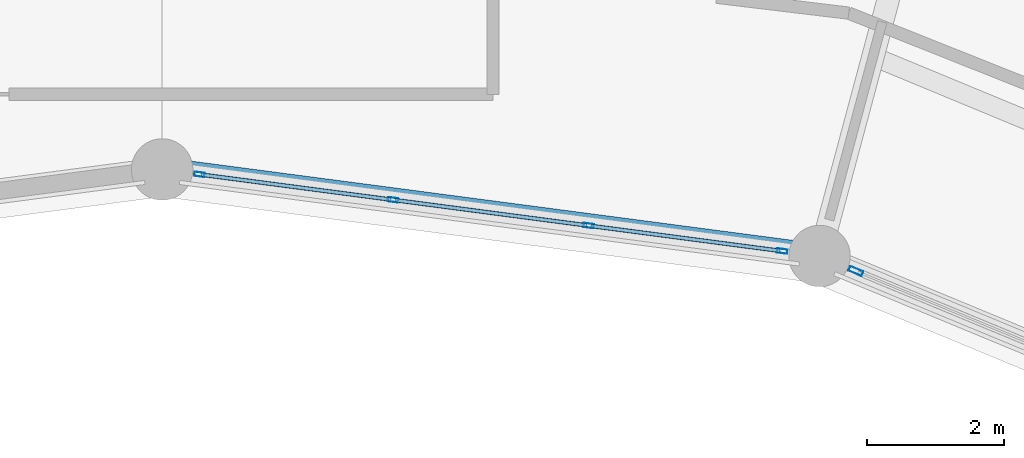
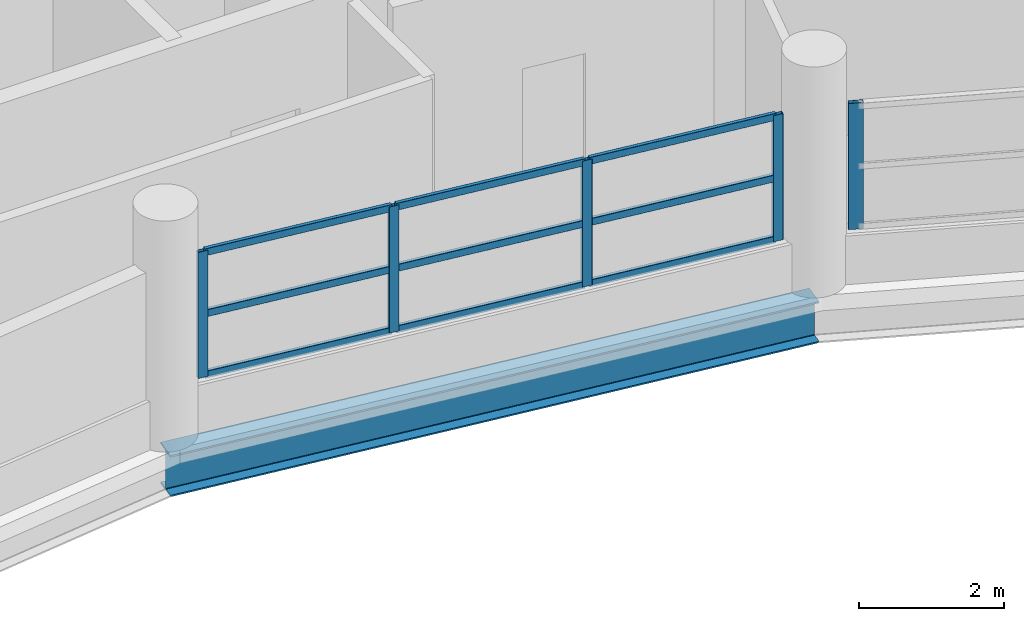
# One storey, part 31 of 53: 14 members, 1 beam, 2 elements without a shape of their own.
"""IFC4 building model written with IfcOpenShell, lengths in metres."""

from ifc_helpers import new_model, si_unit, direction, frame, origin, origin_2d, place, context, subcontext, project, spatial, hollow_rectangle, i_section, extrude, material, layer, layer_set, material_profile, profile_set, type_object, element, aggregate, save


model = new_model("IFC4")

# Units and contexts
model_context = context("Model", 3, precision=1e-05, world=origin(), true_north=direction((0.0, 1.0)))
body_context = subcontext(model_context, "Body", "Model", "MODEL_VIEW")
ifc_project = project(units=[si_unit("LENGTHUNIT", "METRE"), si_unit("AREAUNIT", "SQUARE_METRE"), si_unit("VOLUMEUNIT", "CUBIC_METRE"), si_unit("PLANEANGLEUNIT", "RADIAN"), si_unit("MASSUNIT", "GRAM", prefix="KILO")], contexts=[model_context])

# Site, building, storey
site_placement = place(None, origin())
site = spatial("IfcSite", under=ifc_project, at=site_placement, CompositionType="ELEMENT")
building_placement = place(site_placement, origin())
building = spatial("IfcBuilding", under=site, at=building_placement, Name="Vespera Passage Community Centre", CompositionType="ELEMENT")
storey_placement = place(building_placement, frame((0.0, 0.0, 20.39990234375)))
storey = spatial("IfcBuildingStorey", under=building, at=storey_placement, Name="L05", CompositionType="ELEMENT", Elevation=20.39990234375)

# Beam
ifc_material_1 = material(Name="Steel ASTM A992 Grade 50", Category="steel")
ifc_material_profile_1 = material_profile(ifc_material_1, i_section(OverallWidth=0.3544921875, OverallDepth=0.695556640625, WebThickness=0.015380859375, FlangeThickness=0.024658203125, FilletRadius=0.01513671875, at=origin_2d()), Name="W27X146")
ifc_profile_set_1 = profile_set([ifc_material_profile_1], Name="Steel ASTM A992 Grade 50")
beam_type = type_object("IfcBeamType", Name="BM-SP-W27X146E", PredefinedType="SPANDREL", material=ifc_profile_set_1)
beam_placement = place(storey_placement, frame((87.628173828125, 101.432373046875, -0.607666015625), z_axis=(-0.991444794834, 0.130526697639, 0.0), x_axis=(-0.130526697639, -0.991444794834, 0.0)))
element("IfcBeam", 1, at=beam_placement, inside=storey, type_object=beam_type, Name="V4 L05 Inner Spandrel 5", PredefinedType="SPANDREL", context=body_context, shape_type="SweptSolid", body=[
    extrude(i_section(OverallWidth=0.3544921875, OverallDepth=0.695556640625, WebThickness=0.015380859375, FlangeThickness=0.024658203125, FilletRadius=0.01513671875, at=origin_2d()), origin(), (0.0, 0.0, 1.0), 9.711181640625),
])

# Curtain wall, members
ifc_material_2 = material(Name="Anodized aluminium 6063-T6", Category="aluminium")
ifc_layer_1 = layer(ifc_material_2, 0.159912109375)
ifc_layer_set_1 = layer_set([ifc_layer_1], Name="Anodized aluminium 6063-T6")
curtain_wall_type_1 = type_object("IfcCurtainWallType", Name="CW-74E", PredefinedType="NOTDEFINED", material=ifc_layer_set_1)
curtain_wall_1_placement = place(storey_placement, origin())
curtain_wall_1 = element("IfcCurtainWall", 2, at=curtain_wall_1_placement, inside=storey, type_object=curtain_wall_type_1, Name="V4 L05 Inner Court Curtain Wall 5", PredefinedType="NOTDEFINED")
ifc_material_3 = material(Name="Anodized aluminium 6063-T6", Category="aluminium")
ifc_material_profile_2 = material_profile(ifc_material_3, hollow_rectangle(XDim=0.06494140625, YDim=0.14990234375, WallThickness=0.00390625, InnerFilletRadius=0.001953125, OuterFilletRadius=0.00390625, at=origin_2d()), Name="ALU150X65X4")
ifc_profile_set_2 = profile_set([ifc_material_profile_2], Name="Anodized aluminium 6063-T6")
member_type_1 = type_object("IfcMemberType", Name="MB-CWM-150E", PredefinedType="MULLION", material=ifc_profile_set_2)
member_1_placement = place(storey_placement, frame((87.082763671875, 101.504150390625, 0.820068359375), z_axis=(0.0, 0.0, 1.0), x_axis=(-0.1305221941, -0.991445387728, 0.0)))
member_1 = element("IfcMember", 3, at=member_1_placement, type_object=member_type_1, Name="CW-74E mullion 1", PredefinedType="MULLION", context=body_context, shape_type="SweptSolid", body=[
    extrude(hollow_rectangle(XDim=0.06494140625, YDim=0.14990234375, WallThickness=0.00390625, InnerFilletRadius=0.001953125, OuterFilletRadius=0.00390625, at=origin_2d()), origin(), (0.0, 0.0, 1.0), 2.129638671875),
])
member_2_placement = place(storey_placement, frame((84.24755859375, 101.87744140625, 0.820068359375), z_axis=(0.0, 0.0, 1.0), x_axis=(-0.1305221941, -0.991445387728, 0.0)))
member_2 = element("IfcMember", 4, at=member_2_placement, type_object=member_type_1, Name="CW-74E mullion 2", PredefinedType="MULLION", context=body_context, shape_type="SweptSolid", body=[
    extrude(hollow_rectangle(XDim=0.06494140625, YDim=0.14990234375, WallThickness=0.00390625, InnerFilletRadius=0.001953125, OuterFilletRadius=0.00390625, at=origin_2d()), origin(), (0.0, 0.0, 1.0), 2.129638671875),
])
member_3_placement = place(storey_placement, frame((81.38037109375, 102.2548828125, 0.820068359375), z_axis=(0.0, 0.0, 1.0), x_axis=(-0.1305221941, -0.991445387728, 0.0)))
member_3 = element("IfcMember", 5, at=member_3_placement, type_object=member_type_1, Name="CW-74E mullion 3", PredefinedType="MULLION", context=body_context, shape_type="SweptSolid", body=[
    extrude(hollow_rectangle(XDim=0.06494140625, YDim=0.14990234375, WallThickness=0.00390625, InnerFilletRadius=0.001953125, OuterFilletRadius=0.00390625, at=origin_2d()), origin(), (0.0, 0.0, 1.0), 2.129638671875),
])
member_4_placement = place(storey_placement, frame((78.54541015625, 102.628173828125, 0.820068359375), z_axis=(0.0, 0.0, 1.0), x_axis=(-0.1305221941, -0.991445387728, 0.0)))
member_4 = element("IfcMember", 6, at=member_4_placement, type_object=member_type_1, Name="CW-74E mullion 4", PredefinedType="MULLION", context=body_context, shape_type="SweptSolid", body=[
    extrude(hollow_rectangle(XDim=0.06494140625, YDim=0.14990234375, WallThickness=0.00390625, InnerFilletRadius=0.001953125, OuterFilletRadius=0.00390625, at=origin_2d()), origin(), (0.0, 0.0, 1.0), 2.129638671875),
])

# Curtain wall, member
ifc_material_4 = material(Name="Anodized aluminium 6063-T6", Category="aluminium")
ifc_layer_2 = layer(ifc_material_4, 0.159912109375)
ifc_layer_set_2 = layer_set([ifc_layer_2], Name="Anodized aluminium 6063-T6")
curtain_wall_type_2 = type_object("IfcCurtainWallType", Name="CW-72E", PredefinedType="NOTDEFINED", material=ifc_layer_set_2)
curtain_wall_2_placement = place(storey_placement, origin())
curtain_wall_2 = element("IfcCurtainWall", 7, at=curtain_wall_2_placement, inside=storey, type_object=curtain_wall_type_2, Name="V4 L05 Inner Court Curtain Wall 4", PredefinedType="NOTDEFINED")
ifc_material_5 = material(Name="Anodized aluminium 6063-T6", Category="aluminium")
ifc_material_profile_3 = material_profile(ifc_material_5, hollow_rectangle(XDim=0.074951171875, YDim=0.2099609375, WallThickness=0.0048828125, InnerFilletRadius=0.00244140625, OuterFilletRadius=0.0048828125, at=origin_2d()), Name="ALU210X75X5")
ifc_profile_set_3 = profile_set([ifc_material_profile_3], Name="Anodized aluminium 6063-T6")
member_type_2 = type_object("IfcMemberType", Name="MB-CWM-210E", PredefinedType="MULLION", material=ifc_profile_set_3)
member_5_placement = place(storey_placement, frame((88.161376953125, 101.211669921875, 0.820068359375), z_axis=(0.0, 0.0, 1.0), x_axis=(-0.382690463482, -0.923876620096, 0.0)))
member_5 = element("IfcMember", 8, at=member_5_placement, type_object=member_type_2, Name="CW-72E mullion 4", PredefinedType="MULLION", context=body_context, shape_type="SweptSolid", body=[
    extrude(hollow_rectangle(XDim=0.074951171875, YDim=0.2099609375, WallThickness=0.0048828125, InnerFilletRadius=0.00244140625, OuterFilletRadius=0.0048828125, at=origin_2d()), origin(), (0.0, 0.0, 1.0), 2.129638671875),
])
aggregate(curtain_wall_2, [member_5])

# Member
ifc_material_6 = material(Name="Anodized aluminium 6063-T6", Category="aluminium")
ifc_material_profile_4 = material_profile(ifc_material_6, hollow_rectangle(XDim=0.06005859375, YDim=0.1201171875, WallThickness=0.00390625, InnerFilletRadius=0.001953125, OuterFilletRadius=0.00390625, at=origin_2d()), Name="ALU120X60X4")
ifc_profile_set_4 = profile_set([ifc_material_profile_4], Name="Anodized aluminium 6063-T6")
member_type_3 = type_object("IfcMemberType", Name="MB-CWT-120E", PredefinedType="USERDEFINED", material=ifc_profile_set_4)
member_6_placement = place(storey_placement, frame((87.050537109375, 101.508544921875, 0.85009765625), z_axis=(-0.991446265366, 0.130515527399, 0.0), x_axis=(-0.130515527399, -0.991446265366, 0.0)))
member_6 = element("IfcMember", 9, at=member_6_placement, type_object=member_type_3, Name="CW-74E transom 1.1", ObjectType="TRANSOM", PredefinedType="USERDEFINED", context=body_context, shape_type="SweptSolid", body=[
    extrude(hollow_rectangle(XDim=0.06005859375, YDim=0.1201171875, WallThickness=0.00390625, InnerFilletRadius=0.001953125, OuterFilletRadius=0.00390625, at=origin_2d()), origin(), (0.0, 0.0, 1.0), 2.794677734375),
])

member_7_placement = place(storey_placement, frame((87.050537109375, 101.508544921875, 1.884765625), z_axis=(-0.991446265366, 0.130515527399, 0.0), x_axis=(-0.130515527399, -0.991446265366, 0.0)))
member_7 = element("IfcMember", 10, at=member_7_placement, type_object=member_type_3, Name="CW-74E transom 1.2", ObjectType="TRANSOM", PredefinedType="USERDEFINED", context=body_context, shape_type="SweptSolid", body=[
    extrude(hollow_rectangle(XDim=0.06005859375, YDim=0.1201171875, WallThickness=0.00390625, InnerFilletRadius=0.001953125, OuterFilletRadius=0.00390625, at=origin_2d()), origin(), (0.0, 0.0, 1.0), 2.794677734375),
])

member_8_placement = place(storey_placement, frame((87.050537109375, 101.508544921875, 2.919677734375), z_axis=(-0.991446265366, 0.130515527399, 0.0), x_axis=(-0.130515527399, -0.991446265366, 0.0)))
member_8 = element("IfcMember", 11, at=member_8_placement, type_object=member_type_3, Name="CW-74E transom 1.3", ObjectType="TRANSOM", PredefinedType="USERDEFINED", context=body_context, shape_type="SweptSolid", body=[
    extrude(hollow_rectangle(XDim=0.06005859375, YDim=0.1201171875, WallThickness=0.00390625, InnerFilletRadius=0.001953125, OuterFilletRadius=0.00390625, at=origin_2d()), origin(), (0.0, 0.0, 1.0), 2.794677734375),
])

member_9_placement = place(storey_placement, frame((84.21533203125, 101.881591796875, 0.85009765625), z_axis=(-0.991437826512, 0.130579616175, 0.0), x_axis=(-0.130579616175, -0.991437826512, 0.0)))
member_9 = element("IfcMember", 12, at=member_9_placement, type_object=member_type_3, Name="CW-74E transom 2.1", ObjectType="TRANSOM", PredefinedType="USERDEFINED", context=body_context, shape_type="SweptSolid", body=[
    extrude(hollow_rectangle(XDim=0.06005859375, YDim=0.1201171875, WallThickness=0.00390625, InnerFilletRadius=0.001953125, OuterFilletRadius=0.00390625, at=origin_2d()), origin(), (0.0, 0.0, 1.0), 2.826904296875),
])

member_10_placement = place(storey_placement, frame((84.21533203125, 101.881591796875, 1.884765625), z_axis=(-0.991437826512, 0.130579616175, 0.0), x_axis=(-0.130579616175, -0.991437826512, 0.0)))
member_10 = element("IfcMember", 13, at=member_10_placement, type_object=member_type_3, Name="CW-74E transom 2.2", ObjectType="TRANSOM", PredefinedType="USERDEFINED", context=body_context, shape_type="SweptSolid", body=[
    extrude(hollow_rectangle(XDim=0.06005859375, YDim=0.1201171875, WallThickness=0.00390625, InnerFilletRadius=0.001953125, OuterFilletRadius=0.00390625, at=origin_2d()), origin(), (0.0, 0.0, 1.0), 2.826904296875),
])

member_11_placement = place(storey_placement, frame((84.21533203125, 101.881591796875, 2.919677734375), z_axis=(-0.991437826512, 0.130579616175, 0.0), x_axis=(-0.130579616175, -0.991437826512, 0.0)))
member_11 = element("IfcMember", 14, at=member_11_placement, type_object=member_type_3, Name="CW-74E transom 2.3", ObjectType="TRANSOM", PredefinedType="USERDEFINED", context=body_context, shape_type="SweptSolid", body=[
    extrude(hollow_rectangle(XDim=0.06005859375, YDim=0.1201171875, WallThickness=0.00390625, InnerFilletRadius=0.001953125, OuterFilletRadius=0.00390625, at=origin_2d()), origin(), (0.0, 0.0, 1.0), 2.826904296875),
])

member_12_placement = place(storey_placement, frame((81.34814453125, 102.25927734375, 0.85009765625), z_axis=(-0.991444777059, 0.130526832651, 0.0), x_axis=(-0.130526832651, -0.991444777059, 0.0)))
member_12 = element("IfcMember", 15, at=member_12_placement, type_object=member_type_3, Name="CW-74E transom 3.1", ObjectType="TRANSOM", PredefinedType="USERDEFINED", context=body_context, shape_type="SweptSolid", body=[
    extrude(hollow_rectangle(XDim=0.06005859375, YDim=0.1201171875, WallThickness=0.00390625, InnerFilletRadius=0.001953125, OuterFilletRadius=0.00390625, at=origin_2d()), origin(), (0.0, 0.0, 1.0), 2.79443359375),
])

member_13_placement = place(storey_placement, frame((81.34814453125, 102.25927734375, 1.884765625), z_axis=(-0.991444777059, 0.130526832651, 0.0), x_axis=(-0.130526832651, -0.991444777059, 0.0)))
member_13 = element("IfcMember", 16, at=member_13_placement, type_object=member_type_3, Name="CW-74E transom 3.2", ObjectType="TRANSOM", PredefinedType="USERDEFINED", context=body_context, shape_type="SweptSolid", body=[
    extrude(hollow_rectangle(XDim=0.06005859375, YDim=0.1201171875, WallThickness=0.00390625, InnerFilletRadius=0.001953125, OuterFilletRadius=0.00390625, at=origin_2d()), origin(), (0.0, 0.0, 1.0), 2.79443359375),
])

member_14_placement = place(storey_placement, frame((81.34814453125, 102.25927734375, 2.919677734375), z_axis=(-0.991444777059, 0.130526832651, 0.0), x_axis=(-0.130526832651, -0.991444777059, 0.0)))
member_14 = element("IfcMember", 17, at=member_14_placement, type_object=member_type_3, Name="CW-74E transom 3.3", ObjectType="TRANSOM", PredefinedType="USERDEFINED", context=body_context, shape_type="SweptSolid", body=[
    extrude(hollow_rectangle(XDim=0.06005859375, YDim=0.1201171875, WallThickness=0.00390625, InnerFilletRadius=0.001953125, OuterFilletRadius=0.00390625, at=origin_2d()), origin(), (0.0, 0.0, 1.0), 2.79443359375),
])

aggregate(curtain_wall_1, [member_1, member_2, member_3, member_4, member_6, member_7, member_8, member_9, member_10, member_11, member_12, member_13, member_14])

save(model, "model.ifc")
